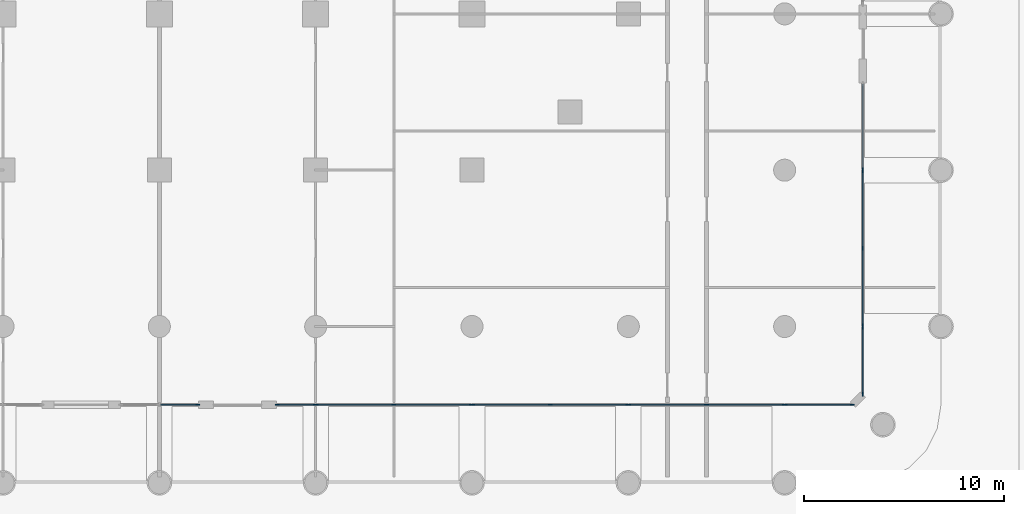
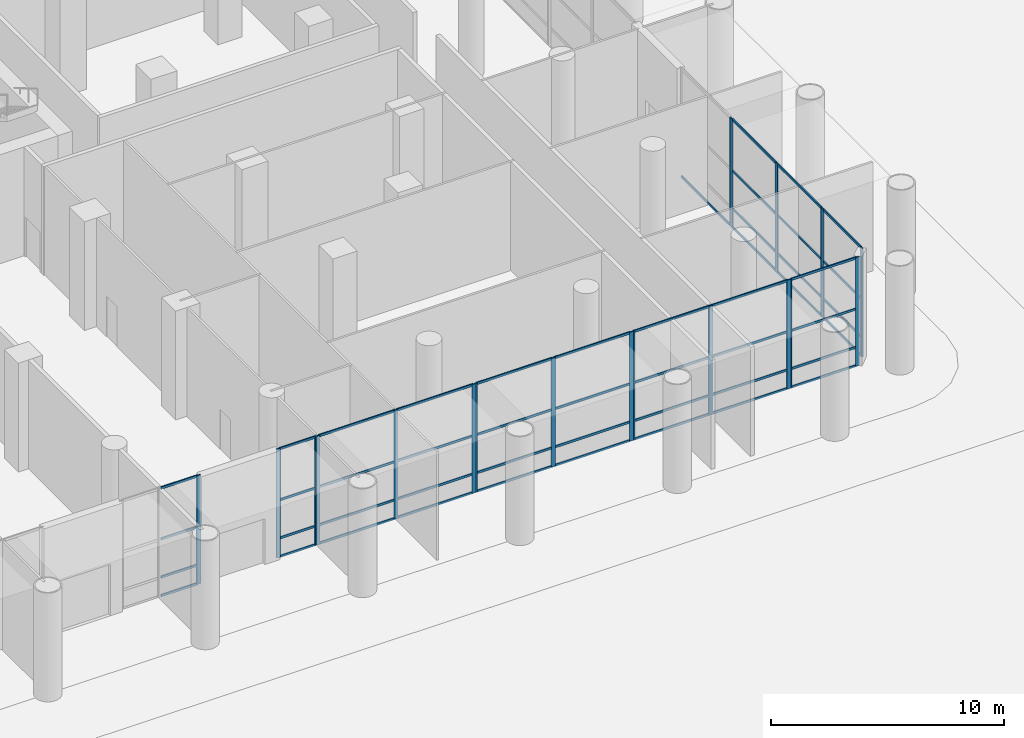
# One storey, part 4 of 32: 69 members, 9 elements without a shape of their own.
"""IFC4 building model written with IfcOpenShell, lengths in metres."""

from ifc_helpers import new_model, si_unit, direction, frame, origin, origin_2d, place, context, subcontext, project, spatial, rectangle, extrude, material, material_profile, profile_set, type_object, element, aggregate, save


model = new_model("IFC4")

# Units and contexts
model_context = context("Model", 3, precision=1e-05, world=origin(), true_north=direction((0.0, 1.0)))
body_context = subcontext(model_context, "Body", "Model", "MODEL_VIEW")
ifc_project = project(units=[si_unit("LENGTHUNIT", "METRE"), si_unit("AREAUNIT", "SQUARE_METRE"), si_unit("VOLUMEUNIT", "CUBIC_METRE"), si_unit("PLANEANGLEUNIT", "RADIAN"), si_unit("MASSUNIT", "GRAM", prefix="KILO")], contexts=[model_context])

# Site, building, storey
site_placement = place(None, origin())
site = spatial("IfcSite", under=ifc_project, at=site_placement, CompositionType="ELEMENT")
building_placement = place(site_placement, origin())
building = spatial("IfcBuilding", under=site, at=building_placement, Name="Ludao Terraces", CompositionType="ELEMENT")
storey_placement = place(building_placement, origin())
storey = spatial("IfcBuildingStorey", under=building, at=storey_placement, Name="L00", CompositionType="ELEMENT", Elevation=0.0)

# Curtain wall, member
ifc_material_1 = material(Name="Aluminium curtain wall with fritted glass", Category="aluminium")
curtain_wall_type = type_object("IfcCurtainWallType", Name="ENV CW2 entrance glazing", PredefinedType="NOTDEFINED", material=ifc_material_1)
curtain_wall_1_placement = place(storey_placement, origin())
curtain_wall_1 = element("IfcCurtainWall", 1, at=curtain_wall_1_placement, inside=storey, type_object=curtain_wall_type, Name="CW-L00-S8", PredefinedType="NOTDEFINED")
ifc_material_2 = material(Name="Aluminium 6063-T6", Category="aluminium")
ifc_material_profile_1 = material_profile(ifc_material_2, rectangle(XDim=0.06005859375, YDim=0.199951171875, at=origin_2d()), Name="60 X 200")
ifc_profile_set_1 = profile_set([ifc_material_profile_1], Name="Aluminium 6063-T6")
member_type_1 = type_object("IfcMemberType", Name="ENV CW2 mullion 60x200", PredefinedType="MULLION", material=ifc_profile_set_1)
member_1_placement = place(storey_placement, frame((86.919921875, 29.89990234375, 0.0), z_axis=(0.0, 0.0, 1.0), x_axis=(0.0, 1.0, 0.0)))
member_1 = element("IfcMember", 2, at=member_1_placement, type_object=member_type_1, Name="CW2 mullion 2", PredefinedType="MULLION", context=body_context, shape_type="SweptSolid", body=[
    extrude(rectangle(XDim=0.06005859375, YDim=0.199951171875, at=origin_2d()), origin(), (0.0, 0.0, 1.0), 5.699951171875),
])

# Curtain wall, members
curtain_wall_2_placement = place(storey_placement, origin())
curtain_wall_2 = element("IfcCurtainWall", 3, at=curtain_wall_2_placement, inside=storey, type_object=curtain_wall_type, Name="CW-L00-S10", PredefinedType="NOTDEFINED")
member_2_placement = place(storey_placement, frame((90.8798828125, 29.89990234375, 0.0), z_axis=(0.0, 0.0, 1.0), x_axis=(0.0, 1.0, 0.0)))
member_2 = element("IfcMember", 4, at=member_2_placement, type_object=member_type_1, Name="CW2 mullion 1", PredefinedType="MULLION", context=body_context, shape_type="SweptSolid", body=[
    extrude(rectangle(XDim=0.06005859375, YDim=0.199951171875, at=origin_2d()), origin(), (0.0, 0.0, 1.0), 5.699951171875),
])
member_3_placement = place(storey_placement, frame((92.77001953125, 29.89990234375, 0.0), z_axis=(0.0, 0.0, 1.0), x_axis=(0.0, 1.0, 0.0)))
member_3 = element("IfcMember", 5, at=member_3_placement, type_object=member_type_1, Name="CW2 mullion 2", PredefinedType="MULLION", context=body_context, shape_type="SweptSolid", body=[
    extrude(rectangle(XDim=0.06005859375, YDim=0.199951171875, at=origin_2d()), origin(), (0.0, 0.0, 1.0), 5.699951171875),
])

curtain_wall_3_placement = place(storey_placement, origin())
curtain_wall_3 = element("IfcCurtainWall", 6, at=curtain_wall_3_placement, inside=storey, type_object=curtain_wall_type, Name="CW-L00-S11", PredefinedType="NOTDEFINED")
member_4_placement = place(storey_placement, frame((92.830078125, 29.89990234375, 0.0), z_axis=(0.0, 0.0, 1.0), x_axis=(0.0, 1.0, 0.0)))
member_4 = element("IfcMember", 7, at=member_4_placement, type_object=member_type_1, Name="CW2 mullion 1", PredefinedType="MULLION", context=body_context, shape_type="SweptSolid", body=[
    extrude(rectangle(XDim=0.06005859375, YDim=0.199951171875, at=origin_2d()), origin(), (0.0, 0.0, 1.0), 5.699951171875),
])
member_5_placement = place(storey_placement, frame((96.699951171875, 29.89990234375, 0.0), z_axis=(0.0, 0.0, 1.0), x_axis=(0.0, 1.0, 0.0)))
member_5 = element("IfcMember", 8, at=member_5_placement, type_object=member_type_1, Name="CW2 mullion 2", PredefinedType="MULLION", context=body_context, shape_type="SweptSolid", body=[
    extrude(rectangle(XDim=0.06005859375, YDim=0.199951171875, at=origin_2d()), origin(), (0.0, 0.0, 1.0), 5.699951171875),
])
member_6_placement = place(storey_placement, frame((100.570068359375, 29.89990234375, 0.0), z_axis=(0.0, 0.0, 1.0), x_axis=(0.0, 1.0, 0.0)))
member_6 = element("IfcMember", 9, at=member_6_placement, type_object=member_type_1, Name="CW2 mullion 3", PredefinedType="MULLION", context=body_context, shape_type="SweptSolid", body=[
    extrude(rectangle(XDim=0.06005859375, YDim=0.199951171875, at=origin_2d()), origin(), (0.0, 0.0, 1.0), 5.699951171875),
])

curtain_wall_4_placement = place(storey_placement, origin())
curtain_wall_4 = element("IfcCurtainWall", 10, at=curtain_wall_4_placement, inside=storey, type_object=curtain_wall_type, Name="CW-L00-S12", PredefinedType="NOTDEFINED")
member_7_placement = place(storey_placement, frame((100.6298828125, 29.89990234375, 0.0), z_axis=(0.0, 0.0, 1.0), x_axis=(0.0, 1.0, 0.0)))
member_7 = element("IfcMember", 11, at=member_7_placement, type_object=member_type_1, Name="CW2 mullion 1", PredefinedType="MULLION", context=body_context, shape_type="SweptSolid", body=[
    extrude(rectangle(XDim=0.06005859375, YDim=0.199951171875, at=origin_2d()), origin(), (0.0, 0.0, 1.0), 5.699951171875),
])
member_8_placement = place(storey_placement, frame((104.5, 29.89990234375, 0.0), z_axis=(0.0, 0.0, 1.0), x_axis=(0.0, 1.0, 0.0)))
member_8 = element("IfcMember", 12, at=member_8_placement, type_object=member_type_1, Name="CW2 mullion 2", PredefinedType="MULLION", context=body_context, shape_type="SweptSolid", body=[
    extrude(rectangle(XDim=0.06005859375, YDim=0.199951171875, at=origin_2d()), origin(), (0.0, 0.0, 1.0), 5.699951171875),
])
member_9_placement = place(storey_placement, frame((108.3701171875, 29.89990234375, 0.0), z_axis=(0.0, 0.0, 1.0), x_axis=(0.0, 1.0, 0.0)))
member_9 = element("IfcMember", 13, at=member_9_placement, type_object=member_type_1, Name="CW2 mullion 3", PredefinedType="MULLION", context=body_context, shape_type="SweptSolid", body=[
    extrude(rectangle(XDim=0.06005859375, YDim=0.199951171875, at=origin_2d()), origin(), (0.0, 0.0, 1.0), 5.699951171875),
])

curtain_wall_5_placement = place(storey_placement, origin())
curtain_wall_5 = element("IfcCurtainWall", 14, at=curtain_wall_5_placement, inside=storey, type_object=curtain_wall_type, Name="CW-L00-S13", PredefinedType="NOTDEFINED")
member_10_placement = place(storey_placement, frame((108.429931640625, 29.89990234375, 0.0), z_axis=(0.0, 0.0, 1.0), x_axis=(0.0, 1.0, 0.0)))
member_10 = element("IfcMember", 15, at=member_10_placement, type_object=member_type_1, Name="CW2 mullion 1", PredefinedType="MULLION", context=body_context, shape_type="SweptSolid", body=[
    extrude(rectangle(XDim=0.06005859375, YDim=0.199951171875, at=origin_2d()), origin(), (0.0, 0.0, 1.0), 5.699951171875),
])
member_11_placement = place(storey_placement, frame((112.300048828125, 29.89990234375, 0.0), z_axis=(0.0, 0.0, 1.0), x_axis=(0.0, 1.0, 0.0)))
member_11 = element("IfcMember", 16, at=member_11_placement, type_object=member_type_1, Name="CW2 mullion 2", PredefinedType="MULLION", context=body_context, shape_type="SweptSolid", body=[
    extrude(rectangle(XDim=0.06005859375, YDim=0.199951171875, at=origin_2d()), origin(), (0.0, 0.0, 1.0), 5.699951171875),
])
member_12_placement = place(storey_placement, frame((116.169921875, 29.89990234375, 0.0), z_axis=(0.0, 0.0, 1.0), x_axis=(0.0, 1.0, 0.0)))
member_12 = element("IfcMember", 17, at=member_12_placement, type_object=member_type_1, Name="CW2 mullion 3", PredefinedType="MULLION", context=body_context, shape_type="SweptSolid", body=[
    extrude(rectangle(XDim=0.06005859375, YDim=0.199951171875, at=origin_2d()), origin(), (0.0, 0.0, 1.0), 5.699951171875),
])

curtain_wall_6_placement = place(storey_placement, origin())
curtain_wall_6 = element("IfcCurtainWall", 18, at=curtain_wall_6_placement, inside=storey, type_object=curtain_wall_type, Name="CW-L00-S14", PredefinedType="NOTDEFINED")
member_13_placement = place(storey_placement, frame((116.22998046875, 29.89990234375, 0.0), z_axis=(0.0, 0.0, 1.0), x_axis=(0.0, 1.0, 0.0)))
member_13 = element("IfcMember", 19, at=member_13_placement, type_object=member_type_1, Name="CW2 mullion 1", PredefinedType="MULLION", context=body_context, shape_type="SweptSolid", body=[
    extrude(rectangle(XDim=0.06005859375, YDim=0.199951171875, at=origin_2d()), origin(), (0.0, 0.0, 1.0), 5.699951171875),
])
member_14_placement = place(storey_placement, frame((119.570068359375, 29.89990234375, 0.0), z_axis=(0.0, 0.0, 1.0), x_axis=(0.0, 1.0, 0.0)))
member_14 = element("IfcMember", 20, at=member_14_placement, type_object=member_type_1, Name="CW2 mullion 2", PredefinedType="MULLION", context=body_context, shape_type="SweptSolid", body=[
    extrude(rectangle(XDim=0.06005859375, YDim=0.199951171875, at=origin_2d()), origin(), (0.0, 0.0, 1.0), 5.699951171875),
])

curtain_wall_7_placement = place(storey_placement, origin())
curtain_wall_7 = element("IfcCurtainWall", 21, at=curtain_wall_7_placement, inside=storey, type_object=curtain_wall_type, Name="CW-L00-E1", PredefinedType="NOTDEFINED")
member_15_placement = place(storey_placement, frame((120.10009765625, 30.429931640625, 0.0), z_axis=(0.0, 0.0, 1.0), x_axis=(-1.0, 0.0, 0.0)))
member_15 = element("IfcMember", 22, at=member_15_placement, type_object=member_type_1, Name="CW2 mullion 1", PredefinedType="MULLION", context=body_context, shape_type="SweptSolid", body=[
    extrude(rectangle(XDim=0.06005859375, YDim=0.199951171875, at=origin_2d()), origin(), (0.0, 0.0, 1.0), 5.699951171875),
])
member_16_placement = place(storey_placement, frame((120.10009765625, 33.77001953125, 0.0), z_axis=(0.0, 0.0, 1.0), x_axis=(-1.0, 0.0, 0.0)))
member_16 = element("IfcMember", 23, at=member_16_placement, type_object=member_type_1, Name="CW2 mullion 2", PredefinedType="MULLION", context=body_context, shape_type="SweptSolid", body=[
    extrude(rectangle(XDim=0.06005859375, YDim=0.199951171875, at=origin_2d()), origin(), (0.0, 0.0, 1.0), 5.699951171875),
])

curtain_wall_8_placement = place(storey_placement, origin())
curtain_wall_8 = element("IfcCurtainWall", 24, at=curtain_wall_8_placement, inside=storey, type_object=curtain_wall_type, Name="CW-L00-E2", PredefinedType="NOTDEFINED")
member_17_placement = place(storey_placement, frame((120.10009765625, 33.830078125, 0.0), z_axis=(0.0, 0.0, 1.0), x_axis=(-1.0, 0.0, 0.0)))
member_17 = element("IfcMember", 25, at=member_17_placement, type_object=member_type_1, Name="CW2 mullion 1", PredefinedType="MULLION", context=body_context, shape_type="SweptSolid", body=[
    extrude(rectangle(XDim=0.06005859375, YDim=0.199951171875, at=origin_2d()), origin(), (0.0, 0.0, 1.0), 5.699951171875),
])
member_18_placement = place(storey_placement, frame((120.10009765625, 37.699951171875, 0.0), z_axis=(0.0, 0.0, 1.0), x_axis=(-1.0, 0.0, 0.0)))
member_18 = element("IfcMember", 26, at=member_18_placement, type_object=member_type_1, Name="CW2 mullion 2", PredefinedType="MULLION", context=body_context, shape_type="SweptSolid", body=[
    extrude(rectangle(XDim=0.06005859375, YDim=0.199951171875, at=origin_2d()), origin(), (0.0, 0.0, 1.0), 5.699951171875),
])
member_19_placement = place(storey_placement, frame((120.10009765625, 41.570068359375, 0.0), z_axis=(0.0, 0.0, 1.0), x_axis=(-1.0, 0.0, 0.0)))
member_19 = element("IfcMember", 27, at=member_19_placement, type_object=member_type_1, Name="CW2 mullion 3", PredefinedType="MULLION", context=body_context, shape_type="SweptSolid", body=[
    extrude(rectangle(XDim=0.06005859375, YDim=0.199951171875, at=origin_2d()), origin(), (0.0, 0.0, 1.0), 5.699951171875),
])

# Curtain wall, member
curtain_wall_9_placement = place(storey_placement, origin())
curtain_wall_9 = element("IfcCurtainWall", 28, at=curtain_wall_9_placement, inside=storey, type_object=curtain_wall_type, Name="CW-L00-E3", PredefinedType="NOTDEFINED")
member_20_placement = place(storey_placement, frame((120.10009765625, 41.6298828125, 0.0), z_axis=(0.0, 0.0, 1.0), x_axis=(-1.0, 0.0, 0.0)))
member_20 = element("IfcMember", 29, at=member_20_placement, type_object=member_type_1, Name="CW2 mullion 1", PredefinedType="MULLION", context=body_context, shape_type="SweptSolid", body=[
    extrude(rectangle(XDim=0.06005859375, YDim=0.199951171875, at=origin_2d()), origin(), (0.0, 0.0, 1.0), 5.699951171875),
])

# Member
ifc_material_profile_2 = material_profile(ifc_material_2, rectangle(XDim=0.06005859375, YDim=0.1201171875, at=origin_2d()), Name="60 X 120")
ifc_profile_set_2 = profile_set([ifc_material_profile_2], Name="Aluminium 6063-T6")
member_type_2 = type_object("IfcMemberType", Name="ENV CW2 transom 60x120", PredefinedType="USERDEFINED", material=ifc_profile_set_2)
member_21_placement = place(storey_placement, frame((85.06005859375, 29.89990234375, 0.030029296875), z_axis=(1.0, 0.0, 0.0), x_axis=(0.0, 1.0, 0.0)))
member_21 = element("IfcMember", 30, at=member_21_placement, type_object=member_type_2, Name="CW2 transom 1.1", ObjectType="TRANSOM", PredefinedType="USERDEFINED", context=body_context, shape_type="SweptSolid", body=[
    extrude(rectangle(XDim=0.06005859375, YDim=0.1201171875, at=origin_2d()), origin(), (0.0, 0.0, 1.0), 1.829833984375),
])

member_22_placement = place(storey_placement, frame((85.06005859375, 29.89990234375, 1.0), z_axis=(1.0, 0.0, 0.0), x_axis=(0.0, 1.0, 0.0)))
member_22 = element("IfcMember", 31, at=member_22_placement, type_object=member_type_2, Name="CW2 transom 1.2", ObjectType="TRANSOM", PredefinedType="USERDEFINED", context=body_context, shape_type="SweptSolid", body=[
    extrude(rectangle(XDim=0.06005859375, YDim=0.1201171875, at=origin_2d()), origin(), (0.0, 0.0, 1.0), 1.829833984375),
])

member_23_placement = place(storey_placement, frame((85.06005859375, 29.89990234375, 3.0), z_axis=(1.0, 0.0, 0.0), x_axis=(0.0, 1.0, 0.0)))
member_23 = element("IfcMember", 32, at=member_23_placement, type_object=member_type_2, Name="CW2 transom 1.3", ObjectType="TRANSOM", PredefinedType="USERDEFINED", context=body_context, shape_type="SweptSolid", body=[
    extrude(rectangle(XDim=0.06005859375, YDim=0.1201171875, at=origin_2d()), origin(), (0.0, 0.0, 1.0), 1.829833984375),
])

member_24_placement = place(storey_placement, frame((85.06005859375, 29.89990234375, 5.669921875), z_axis=(1.0, 0.0, 0.0), x_axis=(0.0, 1.0, 0.0)))
member_24 = element("IfcMember", 33, at=member_24_placement, type_object=member_type_2, Name="CW2 transom 1.4", ObjectType="TRANSOM", PredefinedType="USERDEFINED", context=body_context, shape_type="SweptSolid", body=[
    extrude(rectangle(XDim=0.06005859375, YDim=0.1201171875, at=origin_2d()), origin(), (0.0, 0.0, 1.0), 1.829833984375),
])

aggregate(curtain_wall_1, [member_1, member_21, member_22, member_23, member_24])

member_25_placement = place(storey_placement, frame((90.909912109375, 29.89990234375, 0.030029296875), z_axis=(1.0, 0.0, 0.0), x_axis=(0.0, 1.0, 0.0)))
member_25 = element("IfcMember", 34, at=member_25_placement, type_object=member_type_2, Name="CW2 transom 1.1", ObjectType="TRANSOM", PredefinedType="USERDEFINED", context=body_context, shape_type="SweptSolid", body=[
    extrude(rectangle(XDim=0.06005859375, YDim=0.1201171875, at=origin_2d()), origin(), (0.0, 0.0, 1.0), 1.830078125),
])

member_26_placement = place(storey_placement, frame((90.909912109375, 29.89990234375, 1.0), z_axis=(1.0, 0.0, 0.0), x_axis=(0.0, 1.0, 0.0)))
member_26 = element("IfcMember", 35, at=member_26_placement, type_object=member_type_2, Name="CW2 transom 1.2", ObjectType="TRANSOM", PredefinedType="USERDEFINED", context=body_context, shape_type="SweptSolid", body=[
    extrude(rectangle(XDim=0.06005859375, YDim=0.1201171875, at=origin_2d()), origin(), (0.0, 0.0, 1.0), 1.830078125),
])

member_27_placement = place(storey_placement, frame((90.909912109375, 29.89990234375, 3.0), z_axis=(1.0, 0.0, 0.0), x_axis=(0.0, 1.0, 0.0)))
member_27 = element("IfcMember", 36, at=member_27_placement, type_object=member_type_2, Name="CW2 transom 1.3", ObjectType="TRANSOM", PredefinedType="USERDEFINED", context=body_context, shape_type="SweptSolid", body=[
    extrude(rectangle(XDim=0.06005859375, YDim=0.1201171875, at=origin_2d()), origin(), (0.0, 0.0, 1.0), 1.830078125),
])

member_28_placement = place(storey_placement, frame((90.909912109375, 29.89990234375, 5.669921875), z_axis=(1.0, 0.0, 0.0), x_axis=(0.0, 1.0, 0.0)))
member_28 = element("IfcMember", 37, at=member_28_placement, type_object=member_type_2, Name="CW2 transom 1.4", ObjectType="TRANSOM", PredefinedType="USERDEFINED", context=body_context, shape_type="SweptSolid", body=[
    extrude(rectangle(XDim=0.06005859375, YDim=0.1201171875, at=origin_2d()), origin(), (0.0, 0.0, 1.0), 1.830078125),
])

aggregate(curtain_wall_2, [member_2, member_3, member_25, member_26, member_27, member_28])

member_29_placement = place(storey_placement, frame((92.860107421875, 29.89990234375, 0.030029296875), z_axis=(1.0, 0.0, 0.0), x_axis=(0.0, 1.0, 0.0)))
member_29 = element("IfcMember", 38, at=member_29_placement, type_object=member_type_2, Name="CW2 transom 1.1", ObjectType="TRANSOM", PredefinedType="USERDEFINED", context=body_context, shape_type="SweptSolid", body=[
    extrude(rectangle(XDim=0.06005859375, YDim=0.1201171875, at=origin_2d()), origin(), (0.0, 0.0, 1.0), 3.809814453125),
])

member_30_placement = place(storey_placement, frame((92.860107421875, 29.89990234375, 1.0), z_axis=(1.0, 0.0, 0.0), x_axis=(0.0, 1.0, 0.0)))
member_30 = element("IfcMember", 39, at=member_30_placement, type_object=member_type_2, Name="CW2 transom 1.2", ObjectType="TRANSOM", PredefinedType="USERDEFINED", context=body_context, shape_type="SweptSolid", body=[
    extrude(rectangle(XDim=0.06005859375, YDim=0.1201171875, at=origin_2d()), origin(), (0.0, 0.0, 1.0), 3.809814453125),
])

member_31_placement = place(storey_placement, frame((92.860107421875, 29.89990234375, 3.0), z_axis=(1.0, 0.0, 0.0), x_axis=(0.0, 1.0, 0.0)))
member_31 = element("IfcMember", 40, at=member_31_placement, type_object=member_type_2, Name="CW2 transom 1.3", ObjectType="TRANSOM", PredefinedType="USERDEFINED", context=body_context, shape_type="SweptSolid", body=[
    extrude(rectangle(XDim=0.06005859375, YDim=0.1201171875, at=origin_2d()), origin(), (0.0, 0.0, 1.0), 3.809814453125),
])

member_32_placement = place(storey_placement, frame((92.860107421875, 29.89990234375, 5.669921875), z_axis=(1.0, 0.0, 0.0), x_axis=(0.0, 1.0, 0.0)))
member_32 = element("IfcMember", 41, at=member_32_placement, type_object=member_type_2, Name="CW2 transom 1.4", ObjectType="TRANSOM", PredefinedType="USERDEFINED", context=body_context, shape_type="SweptSolid", body=[
    extrude(rectangle(XDim=0.06005859375, YDim=0.1201171875, at=origin_2d()), origin(), (0.0, 0.0, 1.0), 3.809814453125),
])

member_33_placement = place(storey_placement, frame((96.72998046875, 29.89990234375, 0.030029296875), z_axis=(1.0, 0.0, 0.0), x_axis=(0.0, 1.0, 0.0)))
member_33 = element("IfcMember", 42, at=member_33_placement, type_object=member_type_2, Name="CW2 transom 2.1", ObjectType="TRANSOM", PredefinedType="USERDEFINED", context=body_context, shape_type="SweptSolid", body=[
    extrude(rectangle(XDim=0.06005859375, YDim=0.1201171875, at=origin_2d()), origin(), (0.0, 0.0, 1.0), 3.81005859375),
])

member_34_placement = place(storey_placement, frame((96.72998046875, 29.89990234375, 1.0), z_axis=(1.0, 0.0, 0.0), x_axis=(0.0, 1.0, 0.0)))
member_34 = element("IfcMember", 43, at=member_34_placement, type_object=member_type_2, Name="CW2 transom 2.2", ObjectType="TRANSOM", PredefinedType="USERDEFINED", context=body_context, shape_type="SweptSolid", body=[
    extrude(rectangle(XDim=0.06005859375, YDim=0.1201171875, at=origin_2d()), origin(), (0.0, 0.0, 1.0), 3.81005859375),
])

member_35_placement = place(storey_placement, frame((96.72998046875, 29.89990234375, 3.0), z_axis=(1.0, 0.0, 0.0), x_axis=(0.0, 1.0, 0.0)))
member_35 = element("IfcMember", 44, at=member_35_placement, type_object=member_type_2, Name="CW2 transom 2.3", ObjectType="TRANSOM", PredefinedType="USERDEFINED", context=body_context, shape_type="SweptSolid", body=[
    extrude(rectangle(XDim=0.06005859375, YDim=0.1201171875, at=origin_2d()), origin(), (0.0, 0.0, 1.0), 3.81005859375),
])

member_36_placement = place(storey_placement, frame((96.72998046875, 29.89990234375, 5.669921875), z_axis=(1.0, 0.0, 0.0), x_axis=(0.0, 1.0, 0.0)))
member_36 = element("IfcMember", 45, at=member_36_placement, type_object=member_type_2, Name="CW2 transom 2.4", ObjectType="TRANSOM", PredefinedType="USERDEFINED", context=body_context, shape_type="SweptSolid", body=[
    extrude(rectangle(XDim=0.06005859375, YDim=0.1201171875, at=origin_2d()), origin(), (0.0, 0.0, 1.0), 3.81005859375),
])

aggregate(curtain_wall_3, [member_4, member_5, member_6, member_29, member_30, member_31, member_32, member_33, member_34, member_35, member_36])

member_37_placement = place(storey_placement, frame((100.659912109375, 29.89990234375, 0.030029296875), z_axis=(1.0, 0.0, 0.0), x_axis=(0.0, 1.0, 0.0)))
member_37 = element("IfcMember", 46, at=member_37_placement, type_object=member_type_2, Name="CW2 transom 1.1", ObjectType="TRANSOM", PredefinedType="USERDEFINED", context=body_context, shape_type="SweptSolid", body=[
    extrude(rectangle(XDim=0.06005859375, YDim=0.1201171875, at=origin_2d()), origin(), (0.0, 0.0, 1.0), 3.81005859375),
])

member_38_placement = place(storey_placement, frame((100.659912109375, 29.89990234375, 1.0), z_axis=(1.0, 0.0, 0.0), x_axis=(0.0, 1.0, 0.0)))
member_38 = element("IfcMember", 47, at=member_38_placement, type_object=member_type_2, Name="CW2 transom 1.2", ObjectType="TRANSOM", PredefinedType="USERDEFINED", context=body_context, shape_type="SweptSolid", body=[
    extrude(rectangle(XDim=0.06005859375, YDim=0.1201171875, at=origin_2d()), origin(), (0.0, 0.0, 1.0), 3.81005859375),
])

member_39_placement = place(storey_placement, frame((100.659912109375, 29.89990234375, 3.0), z_axis=(1.0, 0.0, 0.0), x_axis=(0.0, 1.0, 0.0)))
member_39 = element("IfcMember", 48, at=member_39_placement, type_object=member_type_2, Name="CW2 transom 1.3", ObjectType="TRANSOM", PredefinedType="USERDEFINED", context=body_context, shape_type="SweptSolid", body=[
    extrude(rectangle(XDim=0.06005859375, YDim=0.1201171875, at=origin_2d()), origin(), (0.0, 0.0, 1.0), 3.81005859375),
])

member_40_placement = place(storey_placement, frame((100.659912109375, 29.89990234375, 5.669921875), z_axis=(1.0, 0.0, 0.0), x_axis=(0.0, 1.0, 0.0)))
member_40 = element("IfcMember", 49, at=member_40_placement, type_object=member_type_2, Name="CW2 transom 1.4", ObjectType="TRANSOM", PredefinedType="USERDEFINED", context=body_context, shape_type="SweptSolid", body=[
    extrude(rectangle(XDim=0.06005859375, YDim=0.1201171875, at=origin_2d()), origin(), (0.0, 0.0, 1.0), 3.81005859375),
])

member_41_placement = place(storey_placement, frame((104.530029296875, 29.89990234375, 0.030029296875), z_axis=(1.0, 0.0, 0.0), x_axis=(0.0, 1.0, 0.0)))
member_41 = element("IfcMember", 50, at=member_41_placement, type_object=member_type_2, Name="CW2 transom 2.1", ObjectType="TRANSOM", PredefinedType="USERDEFINED", context=body_context, shape_type="SweptSolid", body=[
    extrude(rectangle(XDim=0.06005859375, YDim=0.1201171875, at=origin_2d()), origin(), (0.0, 0.0, 1.0), 3.81005859375),
])

member_42_placement = place(storey_placement, frame((104.530029296875, 29.89990234375, 1.0), z_axis=(1.0, 0.0, 0.0), x_axis=(0.0, 1.0, 0.0)))
member_42 = element("IfcMember", 51, at=member_42_placement, type_object=member_type_2, Name="CW2 transom 2.2", ObjectType="TRANSOM", PredefinedType="USERDEFINED", context=body_context, shape_type="SweptSolid", body=[
    extrude(rectangle(XDim=0.06005859375, YDim=0.1201171875, at=origin_2d()), origin(), (0.0, 0.0, 1.0), 3.81005859375),
])

member_43_placement = place(storey_placement, frame((104.530029296875, 29.89990234375, 3.0), z_axis=(1.0, 0.0, 0.0), x_axis=(0.0, 1.0, 0.0)))
member_43 = element("IfcMember", 52, at=member_43_placement, type_object=member_type_2, Name="CW2 transom 2.3", ObjectType="TRANSOM", PredefinedType="USERDEFINED", context=body_context, shape_type="SweptSolid", body=[
    extrude(rectangle(XDim=0.06005859375, YDim=0.1201171875, at=origin_2d()), origin(), (0.0, 0.0, 1.0), 3.81005859375),
])

member_44_placement = place(storey_placement, frame((104.530029296875, 29.89990234375, 5.669921875), z_axis=(1.0, 0.0, 0.0), x_axis=(0.0, 1.0, 0.0)))
member_44 = element("IfcMember", 53, at=member_44_placement, type_object=member_type_2, Name="CW2 transom 2.4", ObjectType="TRANSOM", PredefinedType="USERDEFINED", context=body_context, shape_type="SweptSolid", body=[
    extrude(rectangle(XDim=0.06005859375, YDim=0.1201171875, at=origin_2d()), origin(), (0.0, 0.0, 1.0), 3.81005859375),
])

aggregate(curtain_wall_4, [member_7, member_8, member_9, member_37, member_38, member_39, member_40, member_41, member_42, member_43, member_44])

member_45_placement = place(storey_placement, frame((108.4599609375, 29.89990234375, 0.030029296875), z_axis=(1.0, 0.0, 0.0), x_axis=(0.0, 1.0, 0.0)))
member_45 = element("IfcMember", 54, at=member_45_placement, type_object=member_type_2, Name="CW2 transom 1.1", ObjectType="TRANSOM", PredefinedType="USERDEFINED", context=body_context, shape_type="SweptSolid", body=[
    extrude(rectangle(XDim=0.06005859375, YDim=0.1201171875, at=origin_2d()), origin(), (0.0, 0.0, 1.0), 3.81005859375),
])

member_46_placement = place(storey_placement, frame((108.4599609375, 29.89990234375, 1.0), z_axis=(1.0, 0.0, 0.0), x_axis=(0.0, 1.0, 0.0)))
member_46 = element("IfcMember", 55, at=member_46_placement, type_object=member_type_2, Name="CW2 transom 1.2", ObjectType="TRANSOM", PredefinedType="USERDEFINED", context=body_context, shape_type="SweptSolid", body=[
    extrude(rectangle(XDim=0.06005859375, YDim=0.1201171875, at=origin_2d()), origin(), (0.0, 0.0, 1.0), 3.81005859375),
])

member_47_placement = place(storey_placement, frame((108.4599609375, 29.89990234375, 3.0), z_axis=(1.0, 0.0, 0.0), x_axis=(0.0, 1.0, 0.0)))
member_47 = element("IfcMember", 56, at=member_47_placement, type_object=member_type_2, Name="CW2 transom 1.3", ObjectType="TRANSOM", PredefinedType="USERDEFINED", context=body_context, shape_type="SweptSolid", body=[
    extrude(rectangle(XDim=0.06005859375, YDim=0.1201171875, at=origin_2d()), origin(), (0.0, 0.0, 1.0), 3.81005859375),
])

member_48_placement = place(storey_placement, frame((108.4599609375, 29.89990234375, 5.669921875), z_axis=(1.0, 0.0, 0.0), x_axis=(0.0, 1.0, 0.0)))
member_48 = element("IfcMember", 57, at=member_48_placement, type_object=member_type_2, Name="CW2 transom 1.4", ObjectType="TRANSOM", PredefinedType="USERDEFINED", context=body_context, shape_type="SweptSolid", body=[
    extrude(rectangle(XDim=0.06005859375, YDim=0.1201171875, at=origin_2d()), origin(), (0.0, 0.0, 1.0), 3.81005859375),
])

member_49_placement = place(storey_placement, frame((112.330078125, 29.89990234375, 0.030029296875), z_axis=(1.0, 0.0, 0.0), x_axis=(0.0, 1.0, 0.0)))
member_49 = element("IfcMember", 58, at=member_49_placement, type_object=member_type_2, Name="CW2 transom 2.1", ObjectType="TRANSOM", PredefinedType="USERDEFINED", context=body_context, shape_type="SweptSolid", body=[
    extrude(rectangle(XDim=0.06005859375, YDim=0.1201171875, at=origin_2d()), origin(), (0.0, 0.0, 1.0), 3.809814453125),
])

member_50_placement = place(storey_placement, frame((112.330078125, 29.89990234375, 1.0), z_axis=(1.0, 0.0, 0.0), x_axis=(0.0, 1.0, 0.0)))
member_50 = element("IfcMember", 59, at=member_50_placement, type_object=member_type_2, Name="CW2 transom 2.2", ObjectType="TRANSOM", PredefinedType="USERDEFINED", context=body_context, shape_type="SweptSolid", body=[
    extrude(rectangle(XDim=0.06005859375, YDim=0.1201171875, at=origin_2d()), origin(), (0.0, 0.0, 1.0), 3.809814453125),
])

member_51_placement = place(storey_placement, frame((112.330078125, 29.89990234375, 3.0), z_axis=(1.0, 0.0, 0.0), x_axis=(0.0, 1.0, 0.0)))
member_51 = element("IfcMember", 60, at=member_51_placement, type_object=member_type_2, Name="CW2 transom 2.3", ObjectType="TRANSOM", PredefinedType="USERDEFINED", context=body_context, shape_type="SweptSolid", body=[
    extrude(rectangle(XDim=0.06005859375, YDim=0.1201171875, at=origin_2d()), origin(), (0.0, 0.0, 1.0), 3.809814453125),
])

member_52_placement = place(storey_placement, frame((112.330078125, 29.89990234375, 5.669921875), z_axis=(1.0, 0.0, 0.0), x_axis=(0.0, 1.0, 0.0)))
member_52 = element("IfcMember", 61, at=member_52_placement, type_object=member_type_2, Name="CW2 transom 2.4", ObjectType="TRANSOM", PredefinedType="USERDEFINED", context=body_context, shape_type="SweptSolid", body=[
    extrude(rectangle(XDim=0.06005859375, YDim=0.1201171875, at=origin_2d()), origin(), (0.0, 0.0, 1.0), 3.809814453125),
])

aggregate(curtain_wall_5, [member_10, member_11, member_12, member_45, member_46, member_47, member_48, member_49, member_50, member_51, member_52])

member_53_placement = place(storey_placement, frame((116.260009765625, 29.89990234375, 0.030029296875), z_axis=(1.0, 0.0, 0.0), x_axis=(0.0, 1.0, 0.0)))
member_53 = element("IfcMember", 62, at=member_53_placement, type_object=member_type_2, Name="CW2 transom 1.1", ObjectType="TRANSOM", PredefinedType="USERDEFINED", context=body_context, shape_type="SweptSolid", body=[
    extrude(rectangle(XDim=0.06005859375, YDim=0.1201171875, at=origin_2d()), origin(), (0.0, 0.0, 1.0), 3.280029296875),
])

member_54_placement = place(storey_placement, frame((116.260009765625, 29.89990234375, 1.0), z_axis=(1.0, 0.0, 0.0), x_axis=(0.0, 1.0, 0.0)))
member_54 = element("IfcMember", 63, at=member_54_placement, type_object=member_type_2, Name="CW2 transom 1.2", ObjectType="TRANSOM", PredefinedType="USERDEFINED", context=body_context, shape_type="SweptSolid", body=[
    extrude(rectangle(XDim=0.06005859375, YDim=0.1201171875, at=origin_2d()), origin(), (0.0, 0.0, 1.0), 3.280029296875),
])

member_55_placement = place(storey_placement, frame((116.260009765625, 29.89990234375, 3.0), z_axis=(1.0, 0.0, 0.0), x_axis=(0.0, 1.0, 0.0)))
member_55 = element("IfcMember", 64, at=member_55_placement, type_object=member_type_2, Name="CW2 transom 1.3", ObjectType="TRANSOM", PredefinedType="USERDEFINED", context=body_context, shape_type="SweptSolid", body=[
    extrude(rectangle(XDim=0.06005859375, YDim=0.1201171875, at=origin_2d()), origin(), (0.0, 0.0, 1.0), 3.280029296875),
])

member_56_placement = place(storey_placement, frame((116.260009765625, 29.89990234375, 5.669921875), z_axis=(1.0, 0.0, 0.0), x_axis=(0.0, 1.0, 0.0)))
member_56 = element("IfcMember", 65, at=member_56_placement, type_object=member_type_2, Name="CW2 transom 1.4", ObjectType="TRANSOM", PredefinedType="USERDEFINED", context=body_context, shape_type="SweptSolid", body=[
    extrude(rectangle(XDim=0.06005859375, YDim=0.1201171875, at=origin_2d()), origin(), (0.0, 0.0, 1.0), 3.280029296875),
])

aggregate(curtain_wall_6, [member_13, member_14, member_53, member_54, member_55, member_56])

member_57_placement = place(storey_placement, frame((120.10009765625, 30.4599609375, 0.030029296875), z_axis=(0.0, 1.0, 0.0), x_axis=(-1.0, 0.0, 0.0)))
member_57 = element("IfcMember", 66, at=member_57_placement, type_object=member_type_2, Name="CW2 transom 1.1", ObjectType="TRANSOM", PredefinedType="USERDEFINED", context=body_context, shape_type="SweptSolid", body=[
    extrude(rectangle(XDim=0.06005859375, YDim=0.1201171875, at=origin_2d()), origin(), (0.0, 0.0, 1.0), 3.280029296875),
])

member_58_placement = place(storey_placement, frame((120.10009765625, 30.4599609375, 1.0), z_axis=(0.0, 1.0, 0.0), x_axis=(-1.0, 0.0, 0.0)))
member_58 = element("IfcMember", 67, at=member_58_placement, type_object=member_type_2, Name="CW2 transom 1.2", ObjectType="TRANSOM", PredefinedType="USERDEFINED", context=body_context, shape_type="SweptSolid", body=[
    extrude(rectangle(XDim=0.06005859375, YDim=0.1201171875, at=origin_2d()), origin(), (0.0, 0.0, 1.0), 3.280029296875),
])

member_59_placement = place(storey_placement, frame((120.10009765625, 30.4599609375, 3.0), z_axis=(0.0, 1.0, 0.0), x_axis=(-1.0, 0.0, 0.0)))
member_59 = element("IfcMember", 68, at=member_59_placement, type_object=member_type_2, Name="CW2 transom 1.3", ObjectType="TRANSOM", PredefinedType="USERDEFINED", context=body_context, shape_type="SweptSolid", body=[
    extrude(rectangle(XDim=0.06005859375, YDim=0.1201171875, at=origin_2d()), origin(), (0.0, 0.0, 1.0), 3.280029296875),
])

member_60_placement = place(storey_placement, frame((120.10009765625, 30.4599609375, 5.669921875), z_axis=(0.0, 1.0, 0.0), x_axis=(-1.0, 0.0, 0.0)))
member_60 = element("IfcMember", 69, at=member_60_placement, type_object=member_type_2, Name="CW2 transom 1.4", ObjectType="TRANSOM", PredefinedType="USERDEFINED", context=body_context, shape_type="SweptSolid", body=[
    extrude(rectangle(XDim=0.06005859375, YDim=0.1201171875, at=origin_2d()), origin(), (0.0, 0.0, 1.0), 3.280029296875),
])

aggregate(curtain_wall_7, [member_15, member_16, member_57, member_58, member_59, member_60])

member_61_placement = place(storey_placement, frame((120.10009765625, 33.860107421875, 0.030029296875), z_axis=(0.0, 1.0, 0.0), x_axis=(-1.0, 0.0, 0.0)))
member_61 = element("IfcMember", 70, at=member_61_placement, type_object=member_type_2, Name="CW2 transom 1.1", ObjectType="TRANSOM", PredefinedType="USERDEFINED", context=body_context, shape_type="SweptSolid", body=[
    extrude(rectangle(XDim=0.06005859375, YDim=0.1201171875, at=origin_2d()), origin(), (0.0, 0.0, 1.0), 3.809814453125),
])

member_62_placement = place(storey_placement, frame((120.10009765625, 33.860107421875, 1.0), z_axis=(0.0, 1.0, 0.0), x_axis=(-1.0, 0.0, 0.0)))
member_62 = element("IfcMember", 71, at=member_62_placement, type_object=member_type_2, Name="CW2 transom 1.2", ObjectType="TRANSOM", PredefinedType="USERDEFINED", context=body_context, shape_type="SweptSolid", body=[
    extrude(rectangle(XDim=0.06005859375, YDim=0.1201171875, at=origin_2d()), origin(), (0.0, 0.0, 1.0), 3.809814453125),
])

member_63_placement = place(storey_placement, frame((120.10009765625, 33.860107421875, 3.0), z_axis=(0.0, 1.0, 0.0), x_axis=(-1.0, 0.0, 0.0)))
member_63 = element("IfcMember", 72, at=member_63_placement, type_object=member_type_2, Name="CW2 transom 1.3", ObjectType="TRANSOM", PredefinedType="USERDEFINED", context=body_context, shape_type="SweptSolid", body=[
    extrude(rectangle(XDim=0.06005859375, YDim=0.1201171875, at=origin_2d()), origin(), (0.0, 0.0, 1.0), 3.809814453125),
])

member_64_placement = place(storey_placement, frame((120.10009765625, 33.860107421875, 5.669921875), z_axis=(0.0, 1.0, 0.0), x_axis=(-1.0, 0.0, 0.0)))
member_64 = element("IfcMember", 73, at=member_64_placement, type_object=member_type_2, Name="CW2 transom 1.4", ObjectType="TRANSOM", PredefinedType="USERDEFINED", context=body_context, shape_type="SweptSolid", body=[
    extrude(rectangle(XDim=0.06005859375, YDim=0.1201171875, at=origin_2d()), origin(), (0.0, 0.0, 1.0), 3.809814453125),
])

member_65_placement = place(storey_placement, frame((120.10009765625, 37.72998046875, 0.030029296875), z_axis=(0.0, 1.0, 0.0), x_axis=(-1.0, 0.0, 0.0)))
member_65 = element("IfcMember", 74, at=member_65_placement, type_object=member_type_2, Name="CW2 transom 2.1", ObjectType="TRANSOM", PredefinedType="USERDEFINED", context=body_context, shape_type="SweptSolid", body=[
    extrude(rectangle(XDim=0.06005859375, YDim=0.1201171875, at=origin_2d()), origin(), (0.0, 0.0, 1.0), 3.81005859375),
])

member_66_placement = place(storey_placement, frame((120.10009765625, 37.72998046875, 1.0), z_axis=(0.0, 1.0, 0.0), x_axis=(-1.0, 0.0, 0.0)))
member_66 = element("IfcMember", 75, at=member_66_placement, type_object=member_type_2, Name="CW2 transom 2.2", ObjectType="TRANSOM", PredefinedType="USERDEFINED", context=body_context, shape_type="SweptSolid", body=[
    extrude(rectangle(XDim=0.06005859375, YDim=0.1201171875, at=origin_2d()), origin(), (0.0, 0.0, 1.0), 3.81005859375),
])

member_67_placement = place(storey_placement, frame((120.10009765625, 37.72998046875, 3.0), z_axis=(0.0, 1.0, 0.0), x_axis=(-1.0, 0.0, 0.0)))
member_67 = element("IfcMember", 76, at=member_67_placement, type_object=member_type_2, Name="CW2 transom 2.3", ObjectType="TRANSOM", PredefinedType="USERDEFINED", context=body_context, shape_type="SweptSolid", body=[
    extrude(rectangle(XDim=0.06005859375, YDim=0.1201171875, at=origin_2d()), origin(), (0.0, 0.0, 1.0), 3.81005859375),
])

member_68_placement = place(storey_placement, frame((120.10009765625, 37.72998046875, 5.669921875), z_axis=(0.0, 1.0, 0.0), x_axis=(-1.0, 0.0, 0.0)))
member_68 = element("IfcMember", 77, at=member_68_placement, type_object=member_type_2, Name="CW2 transom 2.4", ObjectType="TRANSOM", PredefinedType="USERDEFINED", context=body_context, shape_type="SweptSolid", body=[
    extrude(rectangle(XDim=0.06005859375, YDim=0.1201171875, at=origin_2d()), origin(), (0.0, 0.0, 1.0), 3.81005859375),
])

aggregate(curtain_wall_8, [member_17, member_18, member_19, member_61, member_62, member_63, member_64, member_65, member_66, member_67, member_68])

member_69_placement = place(storey_placement, frame((120.10009765625, 41.659912109375, 0.030029296875), z_axis=(0.0, 1.0, 0.0), x_axis=(-1.0, 0.0, 0.0)))
member_69 = element("IfcMember", 78, at=member_69_placement, type_object=member_type_2, Name="CW2 transom 1.1", ObjectType="TRANSOM", PredefinedType="USERDEFINED", context=body_context, shape_type="SweptSolid", body=[
    extrude(rectangle(XDim=0.06005859375, YDim=0.1201171875, at=origin_2d()), origin(), (0.0, 0.0, 1.0), 4.22998046875),
])

aggregate(curtain_wall_9, [member_20, member_69])

save(model, "model.ifc")
